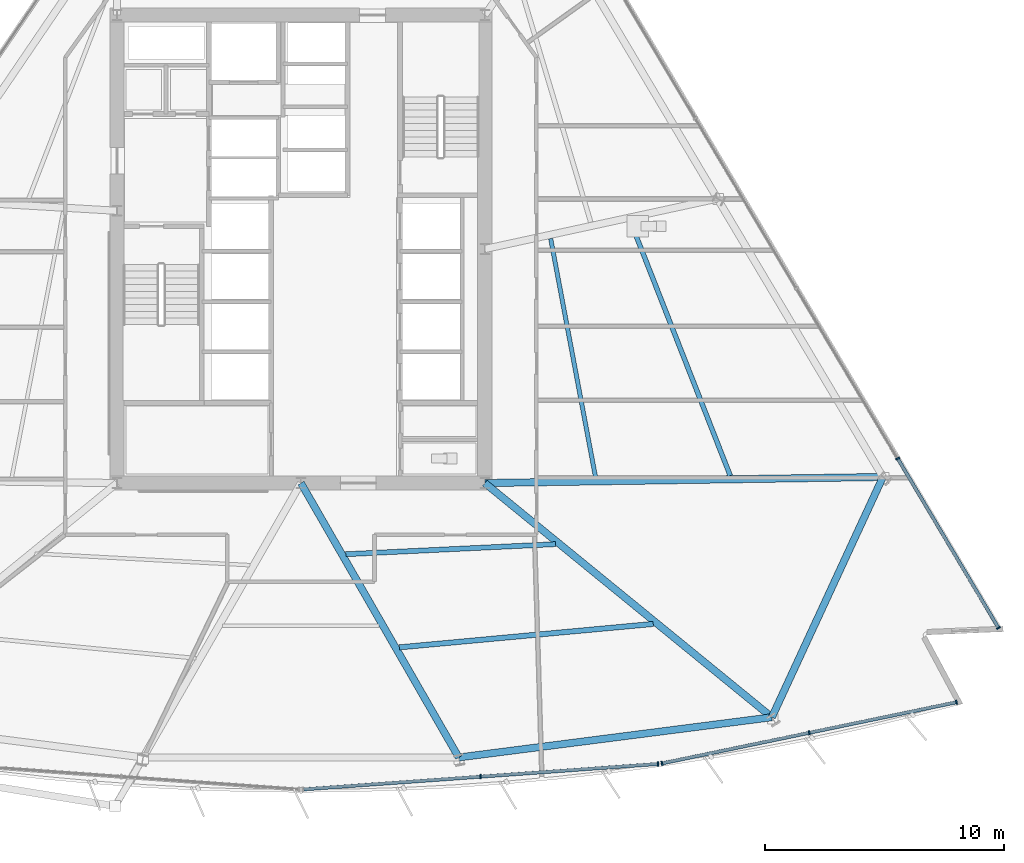
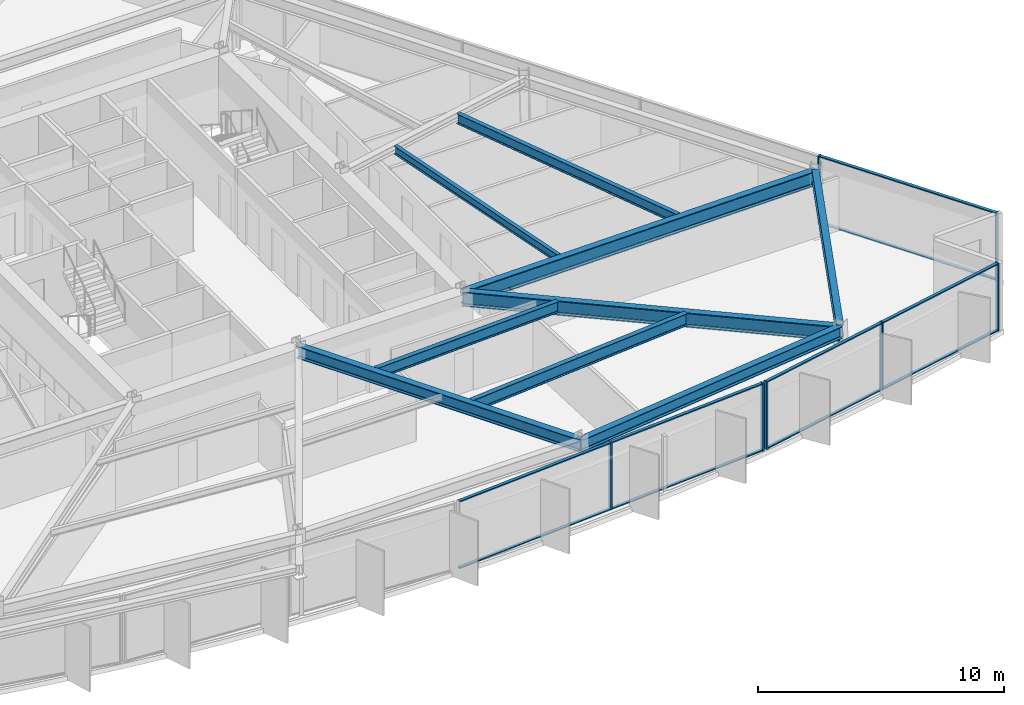
# One storey, part 5 of 17: 17 members, 9 beams, 3 elements without a shape of their own.
"""IFC4 building model written with IfcOpenShell, lengths in metres."""

from ifc_helpers import new_model, si_unit, direction, frame, origin, origin_2d, place, context, subcontext, project, spatial, rectangle, i_section, extrude, material, material_profile, profile_set, type_object, element, aggregate, save


model = new_model("IFC4")

# Units and contexts
model_context = context("Model", 3, precision=1e-05, world=origin(), true_north=direction((0.0, 1.0)))
body_context = subcontext(model_context, "Body", "Model", "MODEL_VIEW")
ifc_project = project(units=[si_unit("LENGTHUNIT", "METRE"), si_unit("AREAUNIT", "SQUARE_METRE"), si_unit("VOLUMEUNIT", "CUBIC_METRE"), si_unit("PLANEANGLEUNIT", "RADIAN"), si_unit("MASSUNIT", "GRAM", prefix="KILO")], contexts=[model_context])

# Site, building, storey
site_placement = place(None, origin())
site = spatial("IfcSite", under=ifc_project, at=site_placement, CompositionType="ELEMENT")
building_placement = place(site_placement, origin())
building = spatial("IfcBuilding", under=site, at=building_placement, Name="Savorim Split Tower", CompositionType="ELEMENT")
storey_placement = place(building_placement, frame((0.0, 0.0, 55.199951171875)))
storey = spatial("IfcBuildingStorey", under=building, at=storey_placement, Name="L14", CompositionType="ELEMENT", Elevation=55.199951171875)

# Beams
ifc_material_1 = material(Name="Steel S355", Category="steel")
ifc_material_profile_1 = material_profile(ifc_material_1, i_section(OverallWidth=0.179931640625, OverallDepth=0.39990234375, WebThickness=0.008544921875, FlangeThickness=0.013427734375, FilletRadius=0.02099609375, at=origin_2d()), Name="IPE 400")
ifc_profile_set_1 = profile_set([ifc_material_profile_1], Name="Steel S355")
beam_type_1 = type_object("IfcBeamType", Name="BM-JST-IPE400", PredefinedType="JOIST", material=ifc_profile_set_1)
beam_1_placement = place(storey_placement, frame((12.33740234375, -9.17138671875, 3.150146484375), z_axis=(-0.184818434134, 0.982772682976, 0.0), x_axis=(-0.982772682976, -0.184818434134, 0.0)))
element("IfcBeam", 1, at=beam_1_placement, inside=storey, type_object=beam_type_1, Name="L14 Secondary Floor Joist JS-08", PredefinedType="JOIST", context=body_context, shape_type="SweptSolid", body=[
    extrude(i_section(OverallWidth=0.179931640625, OverallDepth=0.39990234375, WebThickness=0.008544921875, FlangeThickness=0.013427734375, FilletRadius=0.02099609375, at=origin_2d()), origin(), (0.0, 0.0, 1.0), 10.1806640625),
])
ifc_material_profile_2 = material_profile(ifc_material_1, i_section(OverallWidth=0.199951171875, OverallDepth=0.5, WebThickness=0.01025390625, FlangeThickness=0.01611328125, FilletRadius=0.02099609375, at=origin_2d()), Name="IPE 500")
ifc_profile_set_2 = profile_set([ifc_material_profile_2], Name="Steel S355")
beam_type_2 = type_object("IfcBeamType", Name="BM-JST-IPE500", PredefinedType="JOIST", material=ifc_profile_set_2)
beam_2_placement = place(storey_placement, frame((17.9755859375, -9.093017578125, 3.10009765625), z_axis=(-0.365306493093, 0.930887300431, 0.0), x_axis=(-0.930887300431, -0.365306493093, 0.0)))
element("IfcBeam", 2, at=beam_2_placement, inside=storey, type_object=beam_type_2, Name="L14 Secondary Floor Joist JS-06", PredefinedType="JOIST", context=body_context, shape_type="SweptSolid", body=[
    extrude(i_section(OverallWidth=0.199951171875, OverallDepth=0.5, WebThickness=0.01025390625, FlangeThickness=0.01611328125, FilletRadius=0.02099609375, at=origin_2d()), origin(), (0.0, 0.0, 1.0), 11.4443359375),
])
ifc_material_profile_3 = material_profile(ifc_material_1, i_section(OverallWidth=0.2099609375, OverallDepth=0.550048828125, WebThickness=0.010986328125, FlangeThickness=0.01708984375, FilletRadius=0.02392578125, at=origin_2d()), Name="IPE 550")
ifc_profile_set_3 = profile_set([ifc_material_profile_3], Name="Steel S355")
beam_type_3 = type_object("IfcBeamType", Name="BM-JST-IPE550", PredefinedType="JOIST", material=ifc_profile_set_3)
beam_3_placement = place(storey_placement, frame((1.877685546875, -12.37939453125, 3.074951171875), z_axis=(0.998846688305, 0.048013469596, 0.0), x_axis=(-0.048013469596, 0.998846688305, 0.0)))
element("IfcBeam", 3, at=beam_3_placement, inside=storey, type_object=beam_type_3, Name="L14 Secondary Floor Joist JS-05", PredefinedType="JOIST", context=body_context, shape_type="SweptSolid", body=[
    extrude(i_section(OverallWidth=0.2099609375, OverallDepth=0.550048828125, WebThickness=0.010986328125, FlangeThickness=0.01708984375, FilletRadius=0.02392578125, at=origin_2d()), origin(), (0.0, 0.0, 1.0), 8.796875),
])
ifc_material_profile_4 = material_profile(ifc_material_1, i_section(OverallWidth=0.219970703125, OverallDepth=0.60009765625, WebThickness=0.011962890625, FlangeThickness=0.01904296875, FilletRadius=0.02392578125, at=origin_2d()), Name="IPE 600")
ifc_profile_set_4 = profile_set([ifc_material_profile_4], Name="Steel S355")
beam_type_4 = type_object("IfcBeamType", Name="BM-JST-IPE600", PredefinedType="JOIST", material=ifc_profile_set_4)
beam_4_placement = place(storey_placement, frame((4.1240234375, -16.2783203125, 3.050048828125), z_axis=(0.995772121766, 0.091857942029, 0.0), x_axis=(-0.091857942029, 0.995772121766, 0.0)))
element("IfcBeam", 4, at=beam_4_placement, inside=storey, type_object=beam_type_4, Name="L14 Secondary Floor Joist JS-04", PredefinedType="JOIST", context=body_context, shape_type="SweptSolid", body=[
    extrude(i_section(OverallWidth=0.219970703125, OverallDepth=0.60009765625, WebThickness=0.011962890625, FlangeThickness=0.01904296875, FilletRadius=0.02392578125, at=origin_2d()), origin(), (0.0, 0.0, 1.0), 10.671142578125),
])
ifc_material_profile_5 = material_profile(ifc_material_1, i_section(OverallWidth=0.300048828125, OverallDepth=0.60009765625, WebThickness=0.015380859375, FlangeThickness=0.030029296875, FilletRadius=0.027099609375, at=origin_2d()), Name="HEB 600")
ifc_profile_set_5 = profile_set([ifc_material_profile_5], Name="Steel S355")
beam_type_5 = type_object("IfcBeamType", Name="BM-PRI-HEB600", PredefinedType="BEAM", material=ifc_profile_set_5)
beam_5_placement = place(storey_placement, frame((6.60791015625, -20.888427734375, 3.050048828125), z_axis=(-0.498584986294, 0.866840822436, 0.0), x_axis=(-0.866840822436, -0.498584986294, 0.0)))
element("IfcBeam", 5, at=beam_5_placement, inside=storey, type_object=beam_type_5, Name="L14 Primary Floor Girder RG-03", PredefinedType="BEAM", context=body_context, shape_type="SweptSolid", body=[
    extrude(i_section(OverallWidth=0.300048828125, OverallDepth=0.60009765625, WebThickness=0.015380859375, FlangeThickness=0.030029296875, FilletRadius=0.027099609375, at=origin_2d()), origin(), (0.0, 0.0, 1.0), 13.25341796875),
])
ifc_material_2 = material(Name="Steel S460", Category="steel")
ifc_material_profile_6 = material_profile(ifc_material_2, i_section(OverallWidth=0.303955078125, OverallDepth=0.716064453125, WebThickness=0.02099609375, FlangeThickness=0.0400390625, FilletRadius=0.027099609375, at=origin_2d()), Name="HE 700 M")
ifc_profile_set_6 = profile_set([ifc_material_profile_6], Name="Steel S460")
beam_type_6 = type_object("IfcBeamType", Name="BM-PRI-HEM700", PredefinedType="BEAM", material=ifc_profile_set_6)
beam_6_placement = place(storey_placement, frame((19.7158203125, -19.20556640625, 2.991943359375), z_axis=(-0.774762541834, 0.63225232603, 0.0), x_axis=(-0.63225232603, -0.774762541834, 0.0)))
element("IfcBeam", 6, at=beam_6_placement, inside=storey, type_object=beam_type_6, Name="L14 Primary Floor Girder RG-04", PredefinedType="BEAM", context=body_context, shape_type="SweptSolid", body=[
    extrude(i_section(OverallWidth=0.303955078125, OverallDepth=0.716064453125, WebThickness=0.02099609375, FlangeThickness=0.0400390625, FilletRadius=0.027099609375, at=origin_2d()), origin(), (0.0, 0.0, 1.0), 15.509033203125),
])
beam_7_placement = place(storey_placement, frame((24.367431640625, -9.144775390625, 2.991943359375), z_axis=(-0.999882870451, -0.015305076895, 0.0), x_axis=(0.015305076895, -0.999882870451, 0.0)))
element("IfcBeam", 7, at=beam_7_placement, inside=storey, type_object=beam_type_6, Name="L14 Primary Floor Girder RG-05", PredefinedType="BEAM", context=body_context, shape_type="SweptSolid", body=[
    extrude(i_section(OverallWidth=0.303955078125, OverallDepth=0.716064453125, WebThickness=0.02099609375, FlangeThickness=0.0400390625, FilletRadius=0.027099609375, at=origin_2d()), origin(), (0.0, 0.0, 1.0), 16.66943359375),
])
ifc_material_profile_7 = material_profile(ifc_material_1, i_section(OverallWidth=0.300048828125, OverallDepth=0.590087890625, WebThickness=0.012939453125, FlangeThickness=0.02490234375, FilletRadius=0.027099609375, at=origin_2d()), Name="HEA 600")
ifc_profile_set_7 = profile_set([ifc_material_profile_7], Name="Steel S355")
beam_type_7 = type_object("IfcBeamType", Name="BM-SPN-HEA600", PredefinedType="SPANDREL", material=ifc_profile_set_7)
beam_8_placement = place(storey_placement, frame((6.60791015625, -20.888427734375, 3.054931640625), z_axis=(0.991859124455, 0.127340006423, 0.0), x_axis=(-0.127340006423, 0.991859124455, 0.0)))
element("IfcBeam", 8, at=beam_8_placement, inside=storey, type_object=beam_type_7, Name="L14 Perimeter Spandrel Beam 3", PredefinedType="SPANDREL", context=body_context, shape_type="SweptSolid", body=[
    extrude(i_section(OverallWidth=0.300048828125, OverallDepth=0.590087890625, WebThickness=0.012939453125, FlangeThickness=0.02490234375, FilletRadius=0.027099609375, at=origin_2d()), origin(), (0.0, 0.0, 1.0), 13.215576171875),
])
beam_9_placement = place(storey_placement, frame((19.7158203125, -19.20556640625, 3.054931640625), z_axis=(0.419665685134, 0.907678749735, 0.0), x_axis=(-0.907678749735, 0.419665685134, 0.0)))
element("IfcBeam", 9, at=beam_9_placement, inside=storey, type_object=beam_type_7, Name="L14 Perimeter Spandrel Beam 4", PredefinedType="SPANDREL", context=body_context, shape_type="SweptSolid", body=[
    extrude(i_section(OverallWidth=0.300048828125, OverallDepth=0.590087890625, WebThickness=0.012939453125, FlangeThickness=0.02490234375, FilletRadius=0.027099609375, at=origin_2d()), origin(), (0.0, 0.0, 1.0), 11.083984375),
])

# Curtain wall, members
ifc_material_3 = material(Name="Dark Ceramic-Fritted Insulated Glass", Category="glass")
curtain_wall_type = type_object("IfcCurtainWallType", Name="CW-TWR-FRIT-A", PredefinedType="NOTDEFINED", material=ifc_material_3)
curtain_wall_1_placement = place(storey_placement, origin())
curtain_wall_1 = element("IfcCurtainWall", 10, at=curtain_wall_1_placement, inside=storey, type_object=curtain_wall_type, Name="L14 Curtain Wall CW-L14-SF3", PredefinedType="NOTDEFINED")
ifc_material_4 = material(Name="Charcoal Anodised Aluminium", Category="aluminium")
ifc_material_profile_8 = material_profile(ifc_material_4, rectangle(XDim=0.179931640625, YDim=0.06494140625, at=origin_2d()), Name="ALU-M 180x65")
ifc_profile_set_8 = profile_set([ifc_material_profile_8], Name="Charcoal Anodised Aluminium")
member_type_1 = type_object("IfcMemberType", Name="CWM-180x65", PredefinedType="MULLION", material=ifc_profile_set_8)
member_1_placement = place(storey_placement, frame((7.51708984375, -21.69091796875, 0.0), z_axis=(0.0, 0.0, 1.0), x_axis=(-0.071557043071, 0.997436509051, 0.0)))
member_1 = element("IfcMember", 11, at=member_1_placement, type_object=member_type_1, Name="CW-02 mullion 2", PredefinedType="MULLION", context=body_context, shape_type="SweptSolid", body=[
    extrude(rectangle(XDim=0.179931640625, YDim=0.06494140625, at=origin_2d()), origin(), (0.0, 0.0, 1.0), 3.35009765625),
])
member_2_placement = place(storey_placement, frame((14.950439453125, -21.157470703125, 0.0), z_axis=(0.0, 0.0, 1.0), x_axis=(-0.071557043071, 0.997436509051, 0.0)))
member_2 = element("IfcMember", 12, at=member_2_placement, type_object=member_type_1, Name="CW-02 mullion 3", PredefinedType="MULLION", context=body_context, shape_type="SweptSolid", body=[
    extrude(rectangle(XDim=0.179931640625, YDim=0.06494140625, at=origin_2d()), origin(), (0.0, 0.0, 1.0), 3.35009765625),
])

curtain_wall_2_placement = place(storey_placement, origin())
curtain_wall_2 = element("IfcCurtainWall", 13, at=curtain_wall_2_placement, inside=storey, type_object=curtain_wall_type, Name="L14 Curtain Wall CW-L14-SF4", PredefinedType="NOTDEFINED")
member_3_placement = place(storey_placement, frame((15.117431640625, -21.13427734375, 0.0), z_axis=(0.0, 0.0, 1.0), x_axis=(-0.203214027305, 0.979134341705, 0.0)))
member_3 = element("IfcMember", 14, at=member_3_placement, type_object=member_type_1, Name="CW-02 mullion 1", PredefinedType="MULLION", context=body_context, shape_type="SweptSolid", body=[
    extrude(rectangle(XDim=0.179931640625, YDim=0.06494140625, at=origin_2d()), origin(), (0.0, 0.0, 1.0), 3.35009765625),
])
member_4_placement = place(storey_placement, frame((21.281982421875, -19.854736328125, 0.0), z_axis=(0.0, 0.0, 1.0), x_axis=(-0.203214027305, 0.979134341705, 0.0)))
member_4 = element("IfcMember", 15, at=member_4_placement, type_object=member_type_1, Name="CW-02 mullion 2", PredefinedType="MULLION", context=body_context, shape_type="SweptSolid", body=[
    extrude(rectangle(XDim=0.179931640625, YDim=0.06494140625, at=origin_2d()), origin(), (0.0, 0.0, 1.0), 3.35009765625),
])
member_5_placement = place(storey_placement, frame((27.44677734375, -18.575439453125, 0.0), z_axis=(0.0, 0.0, 1.0), x_axis=(-0.203214027305, 0.979134341705, 0.0)))
member_5 = element("IfcMember", 16, at=member_5_placement, type_object=member_type_1, Name="CW-02 mullion 3", PredefinedType="MULLION", context=body_context, shape_type="SweptSolid", body=[
    extrude(rectangle(XDim=0.179931640625, YDim=0.06494140625, at=origin_2d()), origin(), (0.0, 0.0, 1.0), 3.35009765625),
])

curtain_wall_3_placement = place(storey_placement, origin())
curtain_wall_3 = element("IfcCurtainWall", 17, at=curtain_wall_3_placement, inside=storey, type_object=curtain_wall_type, Name="L14 Curtain Wall CW-L14-EAST", PredefinedType="NOTDEFINED")
member_6_placement = place(storey_placement, frame((29.2041015625, -15.4658203125, 0.0), z_axis=(0.0, 0.0, 1.0), x_axis=(-0.859525822673, -0.511092320583, 0.0)))
member_6 = element("IfcMember", 18, at=member_6_placement, type_object=member_type_1, Name="CW-02 mullion 1", PredefinedType="MULLION", context=body_context, shape_type="SweptSolid", body=[
    extrude(rectangle(XDim=0.179931640625, YDim=0.06494140625, at=origin_2d()), origin(), (0.0, 0.0, 1.0), 3.35009765625),
])
member_7_placement = place(storey_placement, frame((24.9853515625, -8.371337890625, 0.0), z_axis=(0.0, 0.0, 1.0), x_axis=(-0.859525822673, -0.511092320583, 0.0)))
member_7 = element("IfcMember", 19, at=member_7_placement, type_object=member_type_1, Name="CW-02 mullion 2", PredefinedType="MULLION", context=body_context, shape_type="SweptSolid", body=[
    extrude(rectangle(XDim=0.179931640625, YDim=0.06494140625, at=origin_2d()), origin(), (0.0, 0.0, 1.0), 3.35009765625),
])

# Member
ifc_material_profile_9 = material_profile(ifc_material_4, rectangle(XDim=0.139892578125, YDim=0.054931640625, at=origin_2d()), Name="ALU-T 140x55")
ifc_profile_set_9 = profile_set([ifc_material_profile_9], Name="Charcoal Anodised Aluminium")
member_type_2 = type_object("IfcMemberType", Name="CWT-140x55", PredefinedType="USERDEFINED", material=ifc_profile_set_9)
member_8_placement = place(storey_placement, frame((0.1162109375, -22.2216796875, 0.027587890625), z_axis=(0.997437012917, 0.071550019316, 0.0), x_axis=(-0.071550019316, 0.997437012917, 0.0)))
member_8 = element("IfcMember", 20, at=member_8_placement, type_object=member_type_2, Name="CW-02 transom 1.1", ObjectType="TRANSOM", PredefinedType="USERDEFINED", context=body_context, shape_type="SweptSolid", body=[
    extrude(rectangle(XDim=0.139892578125, YDim=0.054931640625, at=origin_2d()), origin(), (0.0, 0.0, 1.0), 7.387451171875),
])

member_9_placement = place(storey_placement, frame((0.1162109375, -22.2216796875, 3.322509765625), z_axis=(0.997437012917, 0.071550019316, 0.0), x_axis=(-0.071550019316, 0.997437012917, 0.0)))
member_9 = element("IfcMember", 21, at=member_9_placement, type_object=member_type_2, Name="CW-02 transom 1.2", ObjectType="TRANSOM", PredefinedType="USERDEFINED", context=body_context, shape_type="SweptSolid", body=[
    extrude(rectangle(XDim=0.139892578125, YDim=0.054931640625, at=origin_2d()), origin(), (0.0, 0.0, 1.0), 7.387451171875),
])

member_10_placement = place(storey_placement, frame((7.549560546875, -21.6884765625, 0.027587890625), z_axis=(0.997437012917, 0.071550019316, 0.0), x_axis=(-0.071550019316, 0.997437012917, 0.0)))
member_10 = element("IfcMember", 22, at=member_10_placement, type_object=member_type_2, Name="CW-02 transom 2.1", ObjectType="TRANSOM", PredefinedType="USERDEFINED", context=body_context, shape_type="SweptSolid", body=[
    extrude(rectangle(XDim=0.139892578125, YDim=0.054931640625, at=origin_2d()), origin(), (0.0, 0.0, 1.0), 7.387451171875),
])

member_11_placement = place(storey_placement, frame((7.549560546875, -21.6884765625, 3.322509765625), z_axis=(0.997437012917, 0.071550019316, 0.0), x_axis=(-0.071550019316, 0.997437012917, 0.0)))
member_11 = element("IfcMember", 23, at=member_11_placement, type_object=member_type_2, Name="CW-02 transom 2.2", ObjectType="TRANSOM", PredefinedType="USERDEFINED", context=body_context, shape_type="SweptSolid", body=[
    extrude(rectangle(XDim=0.139892578125, YDim=0.054931640625, at=origin_2d()), origin(), (0.0, 0.0, 1.0), 7.387451171875),
])

aggregate(curtain_wall_1, [member_1, member_2, member_8, member_9, member_10, member_11])

member_12_placement = place(storey_placement, frame((15.149169921875, -21.127685546875, 0.027587890625), z_axis=(0.979138544299, 0.20319377714, 0.0), x_axis=(-0.20319377714, 0.979138544299, 0.0)))
member_12 = element("IfcMember", 24, at=member_12_placement, type_object=member_type_2, Name="CW-02 transom 1.1", ObjectType="TRANSOM", PredefinedType="USERDEFINED", context=body_context, shape_type="SweptSolid", body=[
    extrude(rectangle(XDim=0.139892578125, YDim=0.054931640625, at=origin_2d()), origin(), (0.0, 0.0, 1.0), 6.23095703125),
])

member_13_placement = place(storey_placement, frame((15.149169921875, -21.127685546875, 3.322509765625), z_axis=(0.979138544299, 0.20319377714, 0.0), x_axis=(-0.20319377714, 0.979138544299, 0.0)))
member_13 = element("IfcMember", 25, at=member_13_placement, type_object=member_type_2, Name="CW-02 transom 1.2", ObjectType="TRANSOM", PredefinedType="USERDEFINED", context=body_context, shape_type="SweptSolid", body=[
    extrude(rectangle(XDim=0.139892578125, YDim=0.054931640625, at=origin_2d()), origin(), (0.0, 0.0, 1.0), 6.23095703125),
])

member_14_placement = place(storey_placement, frame((21.31396484375, -19.84814453125, 0.027587890625), z_axis=(0.979138544299, 0.20319377714, 0.0), x_axis=(-0.20319377714, 0.979138544299, 0.0)))
member_14 = element("IfcMember", 26, at=member_14_placement, type_object=member_type_2, Name="CW-02 transom 2.1", ObjectType="TRANSOM", PredefinedType="USERDEFINED", context=body_context, shape_type="SweptSolid", body=[
    extrude(rectangle(XDim=0.139892578125, YDim=0.054931640625, at=origin_2d()), origin(), (0.0, 0.0, 1.0), 6.23095703125),
])

member_15_placement = place(storey_placement, frame((21.31396484375, -19.84814453125, 3.322509765625), z_axis=(0.979138544299, 0.20319377714, 0.0), x_axis=(-0.20319377714, 0.979138544299, 0.0)))
member_15 = element("IfcMember", 27, at=member_15_placement, type_object=member_type_2, Name="CW-02 transom 2.2", ObjectType="TRANSOM", PredefinedType="USERDEFINED", context=body_context, shape_type="SweptSolid", body=[
    extrude(rectangle(XDim=0.139892578125, YDim=0.054931640625, at=origin_2d()), origin(), (0.0, 0.0, 1.0), 6.23095703125),
])

aggregate(curtain_wall_2, [member_3, member_4, member_5, member_12, member_13, member_14, member_15])

member_16_placement = place(storey_placement, frame((29.1875, -15.43798828125, 0.027587890625), z_axis=(-0.511102775567, 0.859519605831, 0.0), x_axis=(-0.859519605831, -0.511102775567, 0.0)))
member_16 = element("IfcMember", 28, at=member_16_placement, type_object=member_type_2, Name="CW-02 transom 1.1", ObjectType="TRANSOM", PredefinedType="USERDEFINED", context=body_context, shape_type="SweptSolid", body=[
    extrude(rectangle(XDim=0.139892578125, YDim=0.054931640625, at=origin_2d()), origin(), (0.0, 0.0, 1.0), 8.189208984375),
])

member_17_placement = place(storey_placement, frame((29.1875, -15.43798828125, 3.322509765625), z_axis=(-0.511102775567, 0.859519605831, 0.0), x_axis=(-0.859519605831, -0.511102775567, 0.0)))
member_17 = element("IfcMember", 29, at=member_17_placement, type_object=member_type_2, Name="CW-02 transom 1.2", ObjectType="TRANSOM", PredefinedType="USERDEFINED", context=body_context, shape_type="SweptSolid", body=[
    extrude(rectangle(XDim=0.139892578125, YDim=0.054931640625, at=origin_2d()), origin(), (0.0, 0.0, 1.0), 8.189208984375),
])

aggregate(curtain_wall_3, [member_6, member_7, member_16, member_17])

save(model, "model.ifc")
